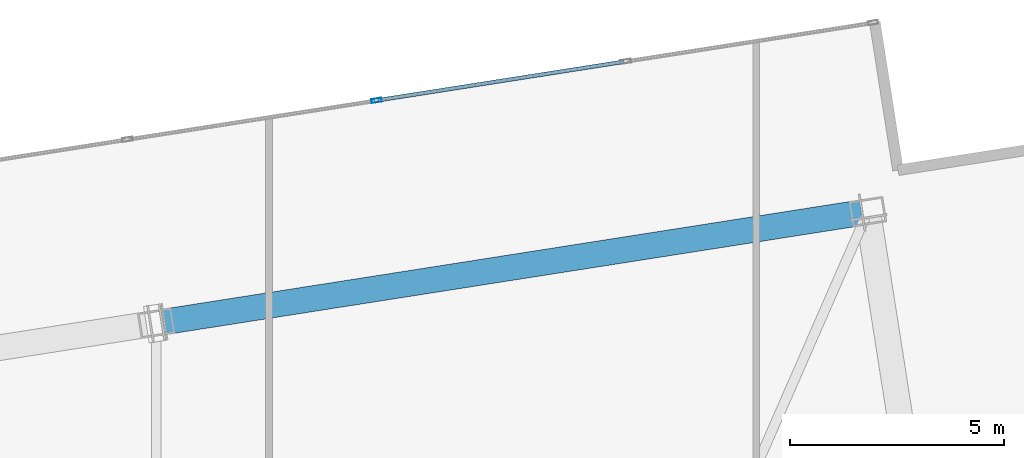
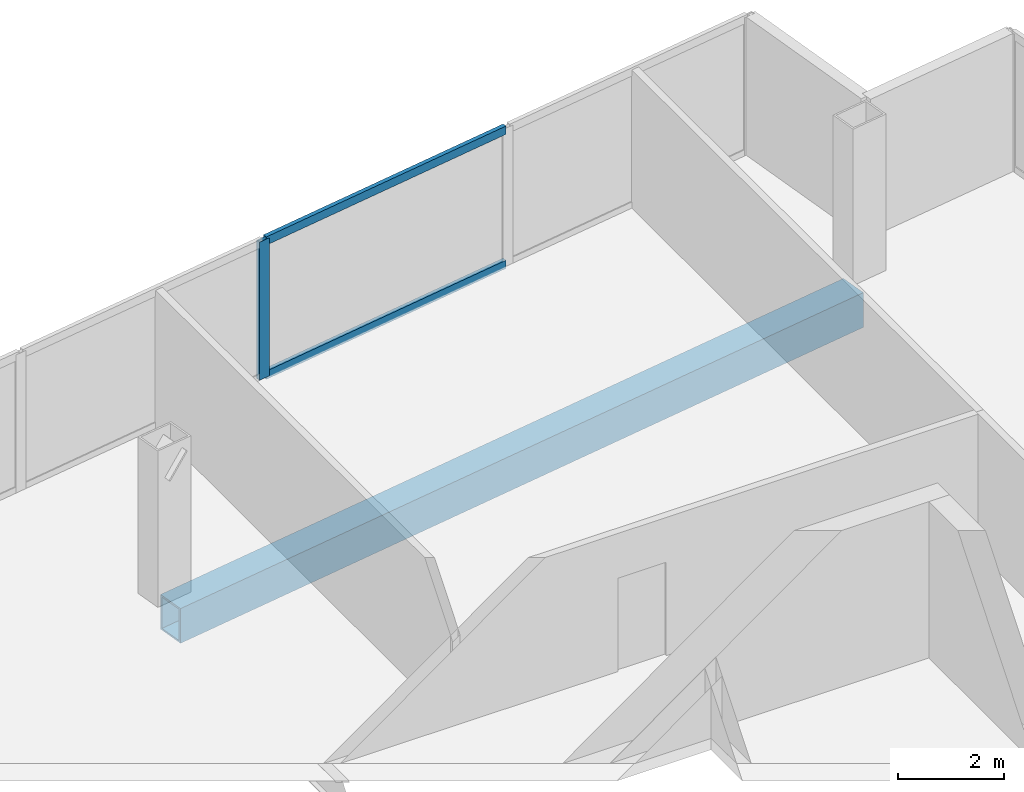
# One storey, part 12 of 17: 3 members, 1 beam, 1 element without a shape of its own.
"""IFC4 building model written with IfcOpenShell, lengths in metres."""

from ifc_helpers import new_model, si_unit, direction, frame, origin, origin_2d, place, context, subcontext, project, spatial, hollow_rectangle, extrude, material, material_profile, profile_set, type_object, element, aggregate, save


model = new_model("IFC4")

# Units and contexts
model_context = context("Model", 3, precision=1e-05, world=origin(), true_north=direction((0.0, 1.0)))
body_context = subcontext(model_context, "Body", "Model", "MODEL_VIEW")
ifc_project = project(units=[si_unit("LENGTHUNIT", "METRE"), si_unit("AREAUNIT", "SQUARE_METRE"), si_unit("VOLUMEUNIT", "CUBIC_METRE"), si_unit("PLANEANGLEUNIT", "RADIAN"), si_unit("MASSUNIT", "GRAM", prefix="KILO")], contexts=[model_context])

# Site, building, storey
site_placement = place(None, origin())
site = spatial("IfcSite", under=ifc_project, at=site_placement, CompositionType="ELEMENT")
building_placement = place(site_placement, origin())
building = spatial("IfcBuilding", under=site, at=building_placement, Name="Haldenkirk Collegiate Tower", CompositionType="ELEMENT")
storey_placement = place(building_placement, frame((0.0, 0.0, 371.39990234375)))
storey = spatial("IfcBuildingStorey", under=building, at=storey_placement, Name="L94", CompositionType="ELEMENT", Elevation=371.39990234375)

# Beam
ifc_material_1 = material(Name="Steel ASTM A572 Grade 50", Category="steel")
ifc_material_profile_1 = material_profile(ifc_material_1, hollow_rectangle(XDim=0.60009765625, YDim=0.800048828125, WallThickness=0.0400390625, at=origin_2d()), Name="BOX800X600X40")
ifc_profile_set_1 = profile_set([ifc_material_profile_1], Name="Steel ASTM A572 Grade 50")
beam_type = type_object("IfcBeamType", Name="BM-SPANDREL-BOX800X600X40", PredefinedType="SPANDREL", material=ifc_profile_set_1)
beam_placement = place(storey_placement, frame((49.861083984375, 45.428466796875, -0.669921875), z_axis=(-0.987958818005, -0.154717077036, 0.0), x_axis=(0.154717077036, -0.987958818005, 0.0)))
element("IfcBeam", 1, at=beam_placement, inside=storey, type_object=beam_type, Name="L94 Crown Ring Frame perimeter girder 3", PredefinedType="SPANDREL", context=body_context, shape_type="SweptSolid", body=[
    extrude(hollow_rectangle(XDim=0.60009765625, YDim=0.800048828125, WallThickness=0.0400390625, at=origin_2d()), origin(), (0.0, 0.0, 1.0), 16.5498046875),
])

# Curtain wall, members
ifc_material_2 = material(Name="Anodised architectural bronze aluminium", Category="aluminium")
curtain_wall_type = type_object("IfcCurtainWallType", Name="CW-SYS6-CROWN", PredefinedType="USERDEFINED", material=ifc_material_2)
curtain_wall_placement = place(storey_placement, origin())
curtain_wall = element("IfcCurtainWall", 2, at=curtain_wall_placement, inside=storey, type_object=curtain_wall_type, Name="L94 Closed crown ring ceramic-fritted bronze screen curtain wall", ObjectType="UNITISED CURTAIN WALL", PredefinedType="USERDEFINED")
ifc_material_profile_2 = material_profile(ifc_material_2, hollow_rectangle(XDim=0.090087890625, YDim=0.239990234375, WallThickness=0.0048828125, at=origin_2d()), Name="CW-MUL-06")
ifc_profile_set_2 = profile_set([ifc_material_profile_2], Name="Anodised architectural bronze aluminium")
member_type_1 = type_object("IfcMemberType", Name="CW-MUL-06", PredefinedType="MULLION", material=ifc_profile_set_2)
member_1_placement = place(storey_placement, frame((38.51806640625, 48.05517578125, 0.0), z_axis=(0.0, 0.0, 1.0), x_axis=(-0.154708982189, 0.987960085646, 0.0)))
member_1 = element("IfcMember", 3, at=member_1_placement, type_object=member_type_1, Name="CW-06 mullion 5", PredefinedType="MULLION", context=body_context, shape_type="SweptSolid", body=[
    extrude(hollow_rectangle(XDim=0.090087890625, YDim=0.239990234375, WallThickness=0.0048828125, at=origin_2d()), origin(), (0.0, 0.0, 1.0), 3.18017578125),
])
ifc_material_profile_3 = material_profile(ifc_material_2, hollow_rectangle(XDim=0.090087890625, YDim=0.18994140625, WallThickness=0.0048828125, at=origin_2d()), Name="CW-TRN-06")
ifc_profile_set_3 = profile_set([ifc_material_profile_3], Name="Anodised architectural bronze aluminium")
member_type_2 = type_object("IfcMemberType", Name="CW-TRN-06", PredefinedType="USERDEFINED", material=ifc_profile_set_3)
member_2_placement = place(storey_placement, frame((38.562744140625, 48.06201171875, 0.045166015625), z_axis=(0.987958095237, 0.154721692257, 0.0), x_axis=(-0.154721692257, 0.987958095237, 0.0)))
member_2 = element("IfcMember", 4, at=member_2_placement, type_object=member_type_2, Name="CW-06 transom 5.1", ObjectType="TRANSOM", PredefinedType="USERDEFINED", context=body_context, shape_type="SweptSolid", body=[
    extrude(hollow_rectangle(XDim=0.090087890625, YDim=0.18994140625, WallThickness=0.0048828125, at=origin_2d()), origin(), (0.0, 0.0, 1.0), 5.81005859375),
])
member_3_placement = place(storey_placement, frame((38.562744140625, 48.06201171875, 3.135009765625), z_axis=(0.987958095237, 0.154721692257, 0.0), x_axis=(-0.154721692257, 0.987958095237, 0.0)))
member_3 = element("IfcMember", 5, at=member_3_placement, type_object=member_type_2, Name="CW-06 transom 5.2", ObjectType="TRANSOM", PredefinedType="USERDEFINED", context=body_context, shape_type="SweptSolid", body=[
    extrude(hollow_rectangle(XDim=0.090087890625, YDim=0.18994140625, WallThickness=0.0048828125, at=origin_2d()), origin(), (0.0, 0.0, 1.0), 5.81005859375),
])
aggregate(curtain_wall, [member_1, member_2, member_3])

save(model, "model.ifc")
